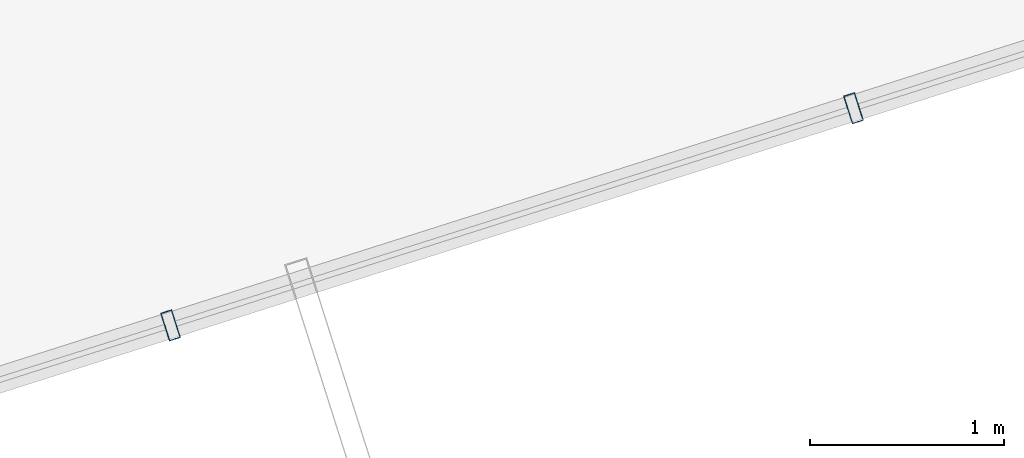
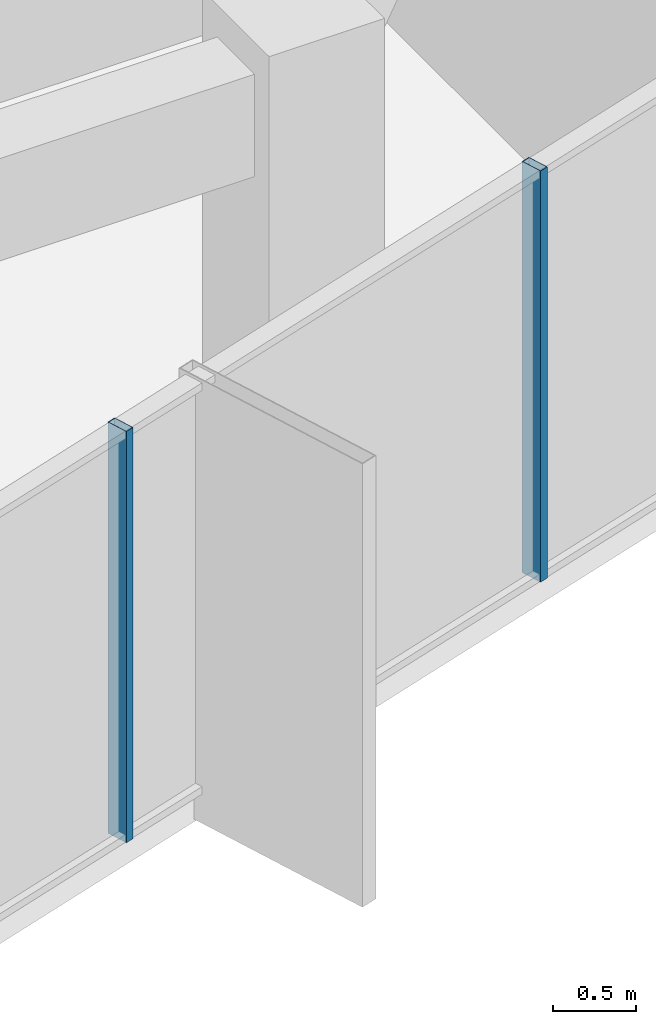
# One storey, part 7 of 28: 2 members, 1 element without a shape of its own.
"""IFC4 building model written with IfcOpenShell, lengths in metres."""

from ifc_helpers import new_model, si_unit, direction, frame, origin, origin_2d, place, context, subcontext, project, spatial, hollow_rectangle, extrude, source, transform, mapped, material, layer, layer_set, material_profile, profile_set, type_object, element, aggregate, save


model = new_model("IFC4")

# Units and contexts
model_context = context("Model", 3, precision=1e-05, world=origin(), true_north=direction((0.0, 1.0)))
body_context = subcontext(model_context, "Body", "Model", "MODEL_VIEW")
ifc_project = project(units=[si_unit("LENGTHUNIT", "METRE"), si_unit("AREAUNIT", "SQUARE_METRE"), si_unit("VOLUMEUNIT", "CUBIC_METRE"), si_unit("PLANEANGLEUNIT", "RADIAN"), si_unit("MASSUNIT", "GRAM", prefix="KILO")], contexts=[model_context])

# Site, building, storey
site_placement = place(None, origin())
site = spatial("IfcSite", under=ifc_project, at=site_placement, CompositionType="ELEMENT")
building_placement = place(site_placement, origin())
building = spatial("IfcBuilding", under=site, at=building_placement, Name="Veraguas Prism Commons", CompositionType="ELEMENT")
storey_placement = place(building_placement, frame((0.0, 0.0, 251.25)))
storey = spatial("IfcBuildingStorey", under=building, at=storey_placement, Name="L71", CompositionType="ELEMENT", Elevation=251.25)

# Curtain wall, members
ifc_material = material(Name="Anodised aluminium EN AW-6063 T6", Category="aluminium")
ifc_layer = layer(ifc_material, 0.14990234375, Name="Unitised Flush Curtain Wall Zone 4", Category="aluminium")
ifc_layer_set = layer_set([ifc_layer], Name="Anodised aluminium EN AW-6063 T6")
curtain_wall_type = type_object("IfcCurtainWallType", Name="Unitised Flush Curtain Wall Zone 4", PredefinedType="NOTDEFINED", material=ifc_layer_set)
curtain_wall_placement = place(storey_placement, origin())
curtain_wall = element("IfcCurtainWall", 1, at=curtain_wall_placement, inside=storey, type_object=curtain_wall_type, Name="Tower Facade Curtain Wall L71-F5", PredefinedType="NOTDEFINED")
ifc_material_profile = material_profile(ifc_material, hollow_rectangle(XDim=0.06005859375, YDim=0.14990234375, WallThickness=0.0029296875, at=origin_2d()), Name="AL60X150X3")
ifc_profile_set = profile_set([ifc_material_profile], Name="Anodised aluminium EN AW-6063 T6")
member_type = type_object("IfcMemberType", Name="Curtain Wall Mullion Upper AL 60x150x3", PredefinedType="MULLION", material=ifc_profile_set)
shared_shape = source(origin(), body_context, "Body", "SweptSolid", [
    extrude(hollow_rectangle(XDim=0.06005859375, YDim=0.14990234375, WallThickness=0.0029296875, at=origin_2d()), origin(), (0.0, 0.0, 1.0), 3.014892578125),
])
member_1_placement = place(storey_placement, frame((25.46826171875, 7.20068359375, 0.0), z_axis=(0.0, 0.0, 1.0), x_axis=(0.952979870412, 0.30303360637, 0.0)))
member_1 = element("IfcMember", 2, at=member_1_placement, type_object=member_type, Name="CW-Z4 Mullion 2", PredefinedType="MULLION", context=body_context, shape_type="MappedRepresentation", body=[
    mapped(shared_shape, transform((0.0, 0.0, 0.0), scale=1.0)),
])
member_2_placement = place(storey_placement, frame((28.986328125, 8.3193359375, 0.0), z_axis=(0.0, 0.0, 1.0), x_axis=(0.952979870412, 0.30303360637, 0.0)))
member_2 = element("IfcMember", 3, at=member_2_placement, type_object=member_type, Name="CW-Z4 Mullion 3", PredefinedType="MULLION", context=body_context, shape_type="MappedRepresentation", body=[
    mapped(shared_shape, transform((0.0, 0.0, 0.0), scale=1.0)),
])
aggregate(curtain_wall, [member_1, member_2])

save(model, "model.ifc")
